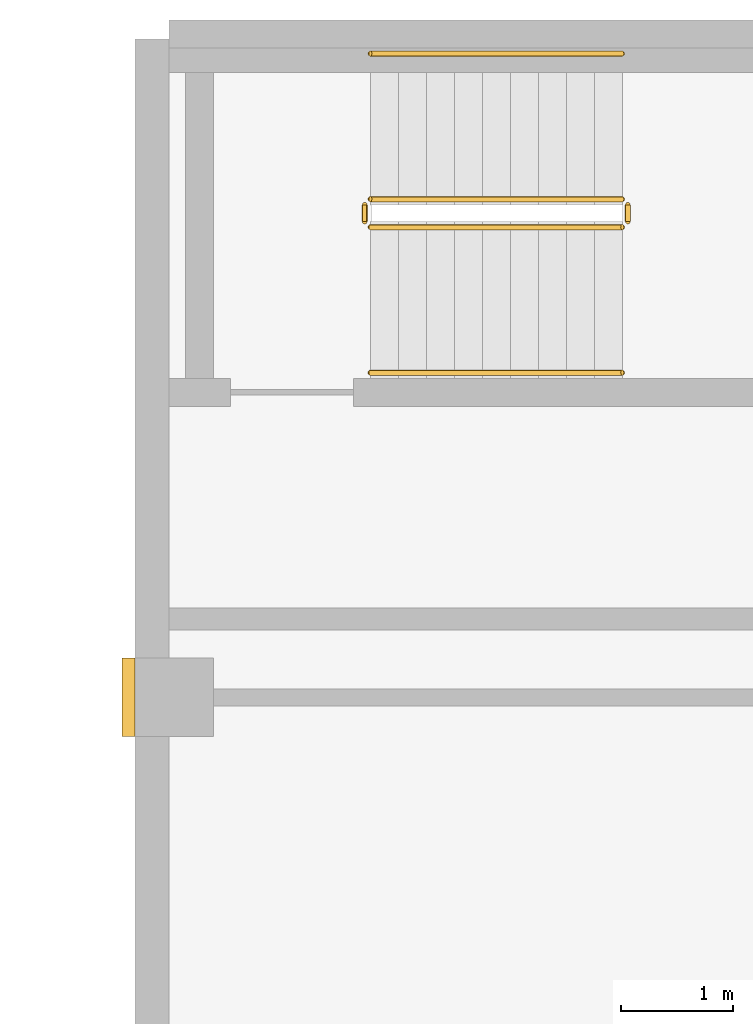
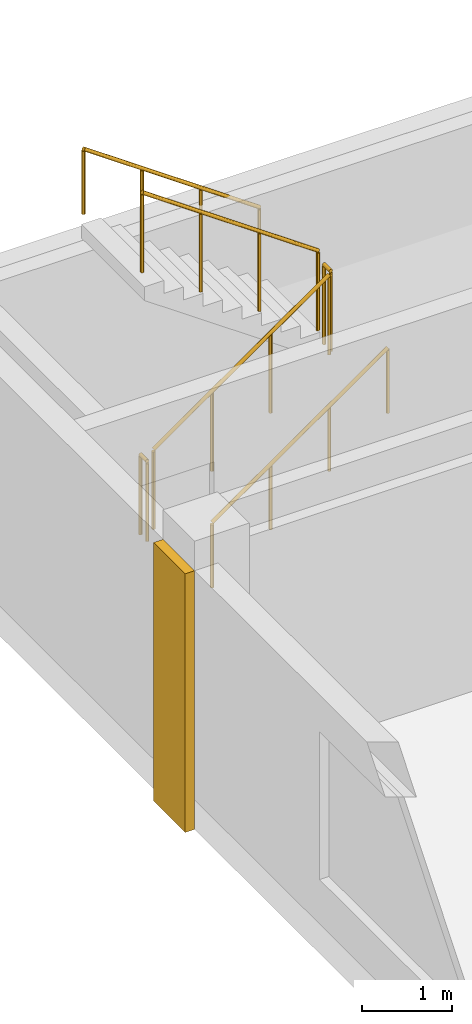
# One storey, part 9 of 9: 6 railings, 1 covering.
"""IFC4 building model written with IfcOpenShell, lengths in metres."""

from ifc_helpers import new_model, si_unit, direction, frame, origin, origin_2d, place, context, subcontext, project, spatial, rectangle, circle, extrude, source, transform, mapped, material, type_object, element, save


model = new_model("IFC4")

# Units and contexts
model_context = context("Model", 3, precision=1e-05, world=origin(), true_north=direction((0.0, 1.0)))
body_context = subcontext(model_context, "Body", "Model", "MODEL_VIEW")
ifc_project = project(units=[si_unit("LENGTHUNIT", "METRE"), si_unit("AREAUNIT", "SQUARE_METRE"), si_unit("VOLUMEUNIT", "CUBIC_METRE"), si_unit("PLANEANGLEUNIT", "RADIAN"), si_unit("MASSUNIT", "GRAM", prefix="KILO")], contexts=[model_context])

# Site, building, storey
site_placement = place(None, origin())
site = spatial("IfcSite", under=ifc_project, at=site_placement, CompositionType="ELEMENT")
building_placement = place(site_placement, origin())
building = spatial("IfcBuilding", under=site, at=building_placement, Name="Aurelian Terraces", CompositionType="ELEMENT")
storey_placement = place(building_placement, frame((0.0, 0.0, 298.5)))
storey = spatial("IfcBuildingStorey", under=building, at=storey_placement, Name="L68", CompositionType="ELEMENT", Elevation=298.5)

# Covering
ifc_material_1 = material(Name="Terracotta rainscreen cladding relief", Category="masonry")
covering_type = type_object("IfcCoveringType", Name="BAGUETTE-TC", PredefinedType="CLADDING", material=ifc_material_1)
shared_shape_1 = source(origin(), body_context, "Body", "SweptSolid", [
    extrude(rectangle(XDim=0.12, YDim=0.7, at=origin_2d()), origin(), (0.0, 0.0, 1.0), 3.5),
])
covering_placement = place(storey_placement, frame((10.44, 37.8, -0.4), z_axis=(0.0, 0.0, 1.0), x_axis=(1.0, 0.0, 0.0)))
element("IfcCovering", 1, at=covering_placement, inside=storey, type_object=covering_type, Name="BAGUETTE pier L68 6", PredefinedType="CLADDING", context=body_context, shape_type="MappedRepresentation", body=[
    mapped(shared_shape_1, transform((0.0, 0.0, 0.0), scale=1.0)),
])

# Railings
ifc_material_2 = material(Name="Stainless steel", Category="steel")
railing_type_1 = type_object("IfcRailingType", Name="Stair guard 1100", PredefinedType="GUARDRAIL", material=ifc_material_2)
shared_shape_2 = source(origin(), body_context, "Body", "SweptSolid", [
    extrude(circle(Radius=0.024, at=origin_2d()), frame((0.0, 0.0, 1.076), z_axis=(0.0, 1.0, 0.0), x_axis=(-1.0, 0.0, 0.0)), (0.0, 0.0, 1.0), 0.15),
    extrude(circle(Radius=0.021, at=origin_2d()), origin(), (0.0, 0.0, 1.0), 1.052),
    extrude(circle(Radius=0.021, at=origin_2d()), frame((0.0, 0.15, 0.0)), (0.0, 0.0, 1.0), 1.052),
])
for number, where, name in (
    (2, (14.9, 42.05, 1.75), "L68 S3U stair guard 2"),
    (3, (12.55, 42.05, 0.0), "L68 S3U stair guard 4"),
):
    element("IfcRailing", number, at=place(storey_placement, frame(where)), inside=storey, type_object=railing_type_1, Name=name, PredefinedType="GUARDRAIL", context=body_context, shape_type="MappedRepresentation", body=[
        mapped(shared_shape_2, transform((0.0, 0.0, 0.0), scale=1.0)),
    ])
shared_shape_3 = source(origin(), body_context, "Body", "SweptSolid", [
    extrude(circle(Radius=0.024, at=origin_2d()), frame((0.0, 0.0, 1.076), z_axis=(0.819231920519, 0.0, 0.573462344363), x_axis=(0.0, 1.0, 0.0)), (0.0, 0.0, 1.0), 2.7465),
    extrude(circle(Radius=0.021, at=origin_2d()), origin(), (0.0, 0.0, 1.0), 1.052),
    extrude(circle(Radius=0.021, at=origin_2d()), frame((0.75, 0.0, 0.525)), (0.0, 0.0, 1.0), 1.052),
    extrude(circle(Radius=0.021, at=origin_2d()), frame((1.5, 0.0, 1.05)), (0.0, 0.0, 1.0), 1.052),
    extrude(circle(Radius=0.021, at=origin_2d()), frame((2.25, 0.0, 1.575)), (0.0, 0.0, 1.0), 1.052),
])
railing_1_placement = place(storey_placement, frame((12.6, 42.0, 0.175)))
element("IfcRailing", 4, at=railing_1_placement, inside=storey, type_object=railing_type_1, Name="L68 S3U stair guard 1", PredefinedType="GUARDRAIL", context=body_context, shape_type="MappedRepresentation", body=[
    mapped(shared_shape_3, transform((0.0, 0.0, 0.0), scale=1.0)),
])
shared_shape_4 = source(origin(), body_context, "Body", "SweptSolid", [
    extrude(circle(Radius=0.024, at=origin_2d()), frame((0.0, 0.0, 1.076), z_axis=(-0.819231920519, 0.0, 0.573462344363), x_axis=(0.0, -1.0, 0.0)), (0.0, 0.0, 1.0), 2.7465),
    extrude(circle(Radius=0.021, at=origin_2d()), origin(), (0.0, 0.0, 1.0), 1.052),
    extrude(circle(Radius=0.021, at=origin_2d()), frame((-0.75, 0.0, 0.525)), (0.0, 0.0, 1.0), 1.052),
    extrude(circle(Radius=0.021, at=origin_2d()), frame((-1.5, 0.0, 1.05)), (0.0, 0.0, 1.0), 1.052),
    extrude(circle(Radius=0.021, at=origin_2d()), frame((-2.25, 0.0, 1.575)), (0.0, 0.0, 1.0), 1.052),
])
railing_2_placement = place(storey_placement, frame((14.85, 42.25, 1.925)))
element("IfcRailing", 5, at=railing_2_placement, inside=storey, type_object=railing_type_1, Name="L68 S3U stair guard 3", PredefinedType="GUARDRAIL", context=body_context, shape_type="MappedRepresentation", body=[
    mapped(shared_shape_4, transform((0.0, 0.0, 0.0), scale=1.0)),
])
railing_type_2 = type_object("IfcRailingType", Name="Stair handrail", PredefinedType="HANDRAIL", material=ifc_material_2)
shared_shape_5 = source(origin(), body_context, "Body", "SweptSolid", [
    extrude(circle(Radius=0.024, at=origin_2d()), frame((0.0, 0.0, 0.876), z_axis=(0.819231920519, 0.0, 0.573462344363), x_axis=(0.0, 1.0, 0.0)), (0.0, 0.0, 1.0), 2.7465),
    extrude(circle(Radius=0.021, at=origin_2d()), origin(), (0.0, 0.0, 1.0), 0.852),
    extrude(circle(Radius=0.021, at=origin_2d()), frame((0.75, 0.0, 0.525)), (0.0, 0.0, 1.0), 0.852),
    extrude(circle(Radius=0.021, at=origin_2d()), frame((1.5, 0.0, 1.05)), (0.0, 0.0, 1.0), 0.852),
    extrude(circle(Radius=0.021, at=origin_2d()), frame((2.25, 0.0, 1.575)), (0.0, 0.0, 1.0), 0.852),
])
railing_3_placement = place(storey_placement, frame((12.6, 40.7, 0.175)))
element("IfcRailing", 6, at=railing_3_placement, inside=storey, type_object=railing_type_2, Name="L68 S3U stair handrail 1", PredefinedType="HANDRAIL", context=body_context, shape_type="MappedRepresentation", body=[
    mapped(shared_shape_5, transform((0.0, 0.0, 0.0), scale=1.0)),
])
shared_shape_6 = source(origin(), body_context, "Body", "SweptSolid", [
    extrude(circle(Radius=0.024, at=origin_2d()), frame((0.0, 0.0, 0.876), z_axis=(-0.819231920519, 0.0, 0.573462344363), x_axis=(0.0, -1.0, 0.0)), (0.0, 0.0, 1.0), 2.7465),
    extrude(circle(Radius=0.021, at=origin_2d()), origin(), (0.0, 0.0, 1.0), 0.852),
    extrude(circle(Radius=0.021, at=origin_2d()), frame((-0.75, 0.0, 0.525)), (0.0, 0.0, 1.0), 0.852),
    extrude(circle(Radius=0.021, at=origin_2d()), frame((-1.5, 0.0, 1.05)), (0.0, 0.0, 1.0), 0.852),
    extrude(circle(Radius=0.021, at=origin_2d()), frame((-2.25, 0.0, 1.575)), (0.0, 0.0, 1.0), 0.852),
])
railing_4_placement = place(storey_placement, frame((14.85, 43.55, 1.925)))
element("IfcRailing", 7, at=railing_4_placement, inside=storey, type_object=railing_type_2, Name="L68 S3U stair handrail 2", PredefinedType="HANDRAIL", context=body_context, shape_type="MappedRepresentation", body=[
    mapped(shared_shape_6, transform((0.0, 0.0, 0.0), scale=1.0)),
])

save(model, "model.ifc")
